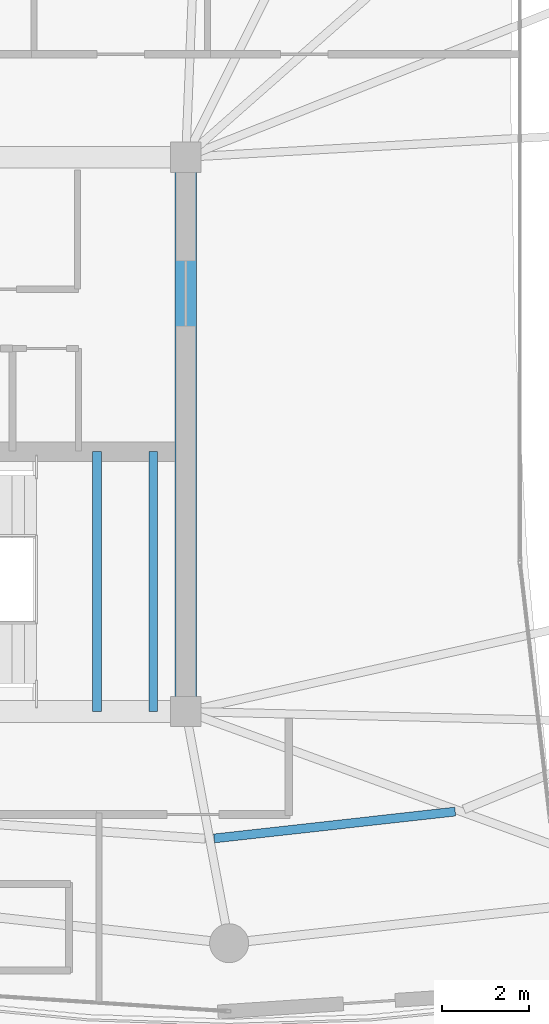
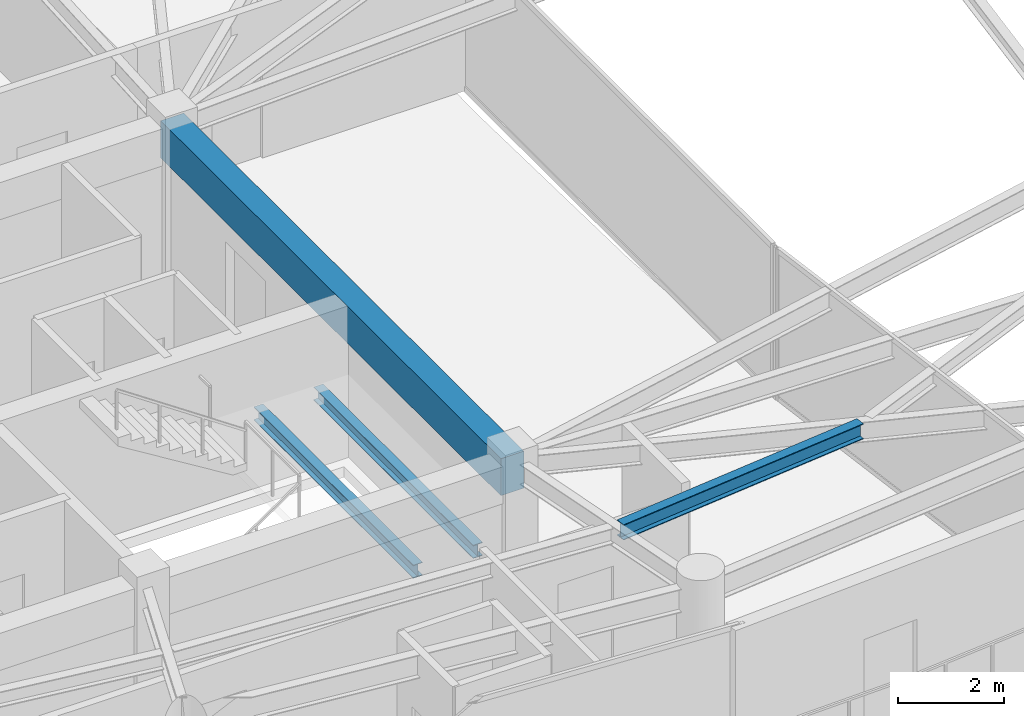
# One storey, part 6 of 22: 4 beams.
"""IFC4 building model written with IfcOpenShell, lengths in metres."""

import ifcopenshell
import ifcopenshell.guid

model = None  # the IFC model being written
_history = None  # IfcOwnerHistory: only IFC2X3 demands one
_inside = {}  # id of a spatial element -> (the spatial element, [elements in it])
_under = {}  # id of a project, library or spatial element -> (it, [spatial elements below it])
_declared = {}  # id of a project -> (the project, [libraries it declares])
_typed = {}  # id of a type object -> (the type object, [elements of that type])
_made_of = {}  # id of a material, layer set ... -> (it, [elements and type objects made of it])


def new_model(schema):
    """Start an empty IFC model of exactly this schema.

    Asked for "IFC4X3", IfcOpenShell would pick the latest addendum, in which some entities
    have other attributes; the version numbers below select the first issue.
    IFC2X3 requires an IfcOwnerHistory on every rooted entity: one is made here for all.
    """
    global model, _history
    if schema == "IFC4X3":
        model = ifcopenshell.file(schema_version=(4, 3, 0, 0))
    else:
        model = ifcopenshell.file(schema=schema)
    _inside.clear()
    _under.clear()
    _declared.clear()
    _typed.clear()
    _made_of.clear()
    _history = None
    if model.schema == "IFC2X3":
        org = make("IfcOrganization", Name="unknown")
        user = make(
            "IfcPersonAndOrganization",
            ThePerson=make("IfcPerson", FamilyName="unknown"),
            TheOrganization=org,
        )
        app = make(
            "IfcApplication",
            ApplicationDeveloper=org,
            Version="unknown",
            ApplicationFullName="unknown",
            ApplicationIdentifier="unknown",
        )
        _history = make(
            "IfcOwnerHistory",
            OwningUser=user,
            OwningApplication=app,
            ChangeAction="ADDED",
            CreationDate=0,
        )
    return model


def make(cls, **values):
    """One entity of the class cls with the attributes given. An attribute that is None is left unset."""
    return model.create_entity(
        cls, **{name: value for name, value in values.items() if value is not None}
    )


def rooted(cls, **values):
    """An entity with a GlobalId (a new one), such as an element, a storey or a relation."""
    return make(cls, GlobalId=ifcopenshell.guid.new(), OwnerHistory=_history, **values)


def si_unit(unit_type, name, prefix=None):
    """IfcSIUnit, for example si_unit("LENGTHUNIT", "METRE", prefix="MILLI")."""
    return make("IfcSIUnit", UnitType=unit_type, Prefix=prefix, Name=name)


def assignment(units):
    """IfcUnitAssignment: the units of a project."""
    return None if units is None else make("IfcUnitAssignment", Units=units)


def point(xyz):
    """IfcCartesianPoint."""
    return None if xyz is None else make("IfcCartesianPoint", Coordinates=xyz)


def direction(xyz):
    """IfcDirection."""
    return None if xyz is None else make("IfcDirection", DirectionRatios=xyz)


def frame(location, z_axis=None, x_axis=None):
    """IfcAxis2Placement3D, a coordinate frame: its origin and axes. An axis left out is left unset."""
    return make(
        "IfcAxis2Placement3D",
        Location=point(location),
        Axis=direction(z_axis),
        RefDirection=direction(x_axis),
    )


def frame_2d(location, x_axis=None):
    """IfcAxis2Placement2D, a coordinate frame in the plane: its origin and x axis."""
    return make(
        "IfcAxis2Placement2D", Location=point(location), RefDirection=direction(x_axis)
    )


def origin():
    """The frame at (0, 0, 0) with its axes left unset."""
    return frame((0.0, 0.0, 0.0))


def origin_2d():
    """The frame at (0, 0) in the plane with its x axis left unset."""
    return frame_2d((0.0, 0.0))


def place(relative_to, where):
    """IfcLocalPlacement: puts the frame where relative to a parent placement (None: the world)."""
    return make(
        "IfcLocalPlacement", PlacementRelTo=relative_to, RelativePlacement=where
    )


def context(
    kind, dimensions, precision=None, world=None, true_north=None, identifier=None
):
    """IfcGeometricRepresentationContext, for example the 3D "Model" context."""
    return make(
        "IfcGeometricRepresentationContext",
        ContextIdentifier=identifier,
        ContextType=kind,
        CoordinateSpaceDimension=dimensions,
        Precision=precision,
        WorldCoordinateSystem=world,
        TrueNorth=true_north,
    )


def subcontext(parent, identifier, kind, view, scale=None):
    """IfcGeometricRepresentationSubContext, for example "Body" below "Model"."""
    return make(
        "IfcGeometricRepresentationSubContext",
        ContextIdentifier=identifier,
        ContextType=kind,
        ParentContext=parent,
        TargetScale=scale,
        TargetView=view,
    )


def project(units=None, contexts=None):
    """IfcProject with its units and contexts."""
    return rooted(
        "IfcProject",
        Name="project",
        RepresentationContexts=contexts,
        UnitsInContext=assignment(units),
    )


def spatial(cls, under=None, at=None, **own):
    """A site, building, storey or space (cls), placed at a placement, below another one or the project."""
    s = rooted(cls, ObjectPlacement=at, **own)
    if under is not None:
        _under.setdefault(under.id(), (under, []))[1].append(s)
    return s


def profile(cls, at=None, kind="AREA", **sizes):
    """A parametric profile (cls). Its sizes go by their IFC names, for example OverallWidth=200.0."""
    return make(cls, ProfileType=kind, Position=at, **sizes)


def rectangle(**sizes):
    """IfcRectangleProfileDef."""
    return profile("IfcRectangleProfileDef", **sizes)


def i_section(**sizes):
    """IfcIShapeProfileDef."""
    return profile("IfcIShapeProfileDef", **sizes)


def extrude(swept, where, along, depth):
    """IfcExtrudedAreaSolid: the profile swept, set in the frame where, extruded along a direction by depth."""
    return make(
        "IfcExtrudedAreaSolid",
        SweptArea=swept,
        Position=where,
        ExtrudedDirection=direction(along),
        Depth=depth,
    )


def shape(context_of_items, identifier, shape_type, items):
    """IfcShapeRepresentation: the items that make up one representation, for example the "Body"."""
    return make(
        "IfcShapeRepresentation",
        ContextOfItems=context_of_items,
        RepresentationIdentifier=identifier,
        RepresentationType=shape_type,
        Items=items,
    )


def material(Name=None, Category=None):
    """IfcMaterial."""
    return make("IfcMaterial", Name=Name, Category=Category)


def material_profile(
    of_material, cross_section, Name=None, Category=None, Priority=None
):
    """IfcMaterialProfile: a cross section and its material."""
    return make(
        "IfcMaterialProfile",
        Name=Name,
        Material=of_material,
        Profile=cross_section,
        Priority=Priority,
        Category=Category,
    )


def profile_set(profiles, Name=None, composite=None):
    """IfcMaterialProfileSet."""
    return make(
        "IfcMaterialProfileSet",
        Name=Name,
        MaterialProfiles=profiles,
        CompositeProfile=composite,
    )


def made_of(thing, what):
    """Note that an element or type object is made of a material, layer set ...; save() writes the relation."""
    if what is not None:
        _made_of.setdefault(what.id(), (what, []))[1].append(thing)
    return thing


def type_object(cls, material=None, **own):
    """A type object (cls), such as IfcWallType, which elements share."""
    return made_of(rooted(cls, **own), material)


def element(
    cls,
    number,
    at=None,
    inside=None,
    cuts=None,
    type_object=None,
    material=None,
    context=None,
    identifier="Body",
    shape_type=None,
    held_by="IfcProductDefinitionShape",
    body=None,
    shapes=None,
    **own,
):
    """One element of the class cls, such as IfcWall. Its Tag is "e" and its number.

    at: its placement. inside: the storey or other place that contains it. cuts: it is an
    opening in that element (IfcRelVoidsElement). A single representation is given by context,
    identifier, shape_type and body (its items); several are given by shapes. held_by: the class
    of the entity that holds the representations. save() writes the other relations.
    """
    e = rooted(cls, Tag="e%d" % number, ObjectPlacement=at, **own)
    if body is not None:
        shapes = [shape(context, identifier, shape_type, body)]
    if shapes is not None:
        e.Representation = make(held_by, Representations=shapes)
    if inside is not None:
        _inside.setdefault(inside.id(), (inside, []))[1].append(e)
    if cuts is not None:
        rooted(
            "IfcRelVoidsElement", RelatingBuildingElement=cuts, RelatedOpeningElement=e
        )
    if type_object is not None:
        _typed.setdefault(type_object.id(), (type_object, []))[1].append(e)
    return made_of(e, material)


def aggregate(whole, parts):
    """IfcRelAggregates: a whole, such as a stair, and the parts it consists of."""
    return rooted("IfcRelAggregates", RelatingObject=whole, RelatedObjects=parts)


def save(model, path):
    """Write the relations noted so far, then the file.

    IfcRelAggregates (storeys below a building ...), IfcRelContainedInSpatialStructure (elements
    in a storey), IfcRelDefinesByType, IfcRelAssociatesMaterial and IfcRelDeclares: one each for
    every whole, place, type object, material and project.
    """
    for whole, parts in _under.values():
        aggregate(whole, parts)
    for where, things in _inside.values():
        rooted(
            "IfcRelContainedInSpatialStructure",
            RelatedElements=things,
            RelatingStructure=where,
        )
    for kind, things in _typed.values():
        rooted("IfcRelDefinesByType", RelatedObjects=things, RelatingType=kind)
    for what, things in _made_of.values():
        rooted("IfcRelAssociatesMaterial", RelatedObjects=things, RelatingMaterial=what)
    for by, libraries in _declared.values():
        rooted("IfcRelDeclares", RelatingContext=by, RelatedDefinitions=libraries)
    model.write(path)


model = new_model("IFC4")

# Units and contexts
model_context = context("Model", 3, precision=1e-05, world=origin(), true_north=direction((0.0, 1.0)))
body_context = subcontext(model_context, "Body", "Model", "MODEL_VIEW")
ifc_project = project(units=[si_unit("LENGTHUNIT", "METRE"), si_unit("AREAUNIT", "SQUARE_METRE"), si_unit("VOLUMEUNIT", "CUBIC_METRE"), si_unit("PLANEANGLEUNIT", "RADIAN"), si_unit("MASSUNIT", "GRAM", prefix="KILO")], contexts=[model_context])

# Site, building, storey
site_placement = place(None, origin())
site = spatial("IfcSite", under=ifc_project, at=site_placement, CompositionType="ELEMENT")
building_placement = place(site_placement, origin())
building = spatial("IfcBuilding", under=site, at=building_placement, Name="Kazevale Care Tower and Concert Hall", CompositionType="ELEMENT")
storey_placement = place(building_placement, frame((0.0, 0.0, 277.60009765625)))
storey = spatial("IfcBuildingStorey", under=building, at=storey_placement, Name="L73", CompositionType="ELEMENT", Elevation=277.60009765625)

# Beams
ifc_material_1 = material(Name="Concrete C60", Category="concrete")
ifc_material_profile_1 = material_profile(ifc_material_1, rectangle(XDim=0.5, YDim=0.85009765625, at=origin_2d()), Name="RC-B500x850")
ifc_profile_set_1 = profile_set([ifc_material_profile_1], Name="Concrete C60")
beam_type_1 = type_object("IfcBeamType", Name="Core Coupling Beam RC500x850", PredefinedType="LINTEL", material=ifc_profile_set_1)
beam_1_placement = place(storey_placement, frame((44.0, 23.60009765625, 3.054931640625), z_axis=(0.0, 1.0, 0.0), x_axis=(-1.0, 0.0, 0.0)))
element("IfcBeam", 1, at=beam_1_placement, inside=storey, type_object=beam_type_1, Name="beam:L73:coretie:4", PredefinedType="LINTEL", context=body_context, shape_type="SweptSolid", body=[
    extrude(rectangle(XDim=0.5, YDim=0.85009765625, at=origin_2d()), origin(), (0.0, 0.0, 1.0), 12.7998046875),
])
ifc_material_2 = material(Name="Steel ASTM A572 Gr 50", Category="steel")
ifc_material_profile_2 = material_profile(ifc_material_2, i_section(OverallWidth=0.205078125, OverallDepth=0.35400390625, WebThickness=0.009521484375, FlangeThickness=0.016845703125, at=origin_2d()), Name="W360x79")
ifc_profile_set_2 = profile_set([ifc_material_profile_2], Name="Steel ASTM A572 Gr 50")
beam_type_2 = type_object("IfcBeamType", Name="Secondary Floor Joist W360x79", PredefinedType="JOIST", material=ifc_profile_set_2)
beam_2_placement = place(storey_placement, frame((44.654052734375, 20.6689453125, 3.302978515625), z_axis=(0.99385286667, 0.110708985236, 0.0), x_axis=(-0.110708985236, 0.99385286667, 0.0)))
element("IfcBeam", 2, at=beam_2_placement, inside=storey, type_object=beam_type_2, Name="beam:L73:joist:13", PredefinedType="JOIST", context=body_context, shape_type="SweptSolid", body=[
    extrude(i_section(OverallWidth=0.205078125, OverallDepth=0.35400390625, WebThickness=0.009521484375, FlangeThickness=0.016845703125, at=origin_2d()), origin(), (0.0, 0.0, 1.0), 5.601318359375),
])
ifc_material_profile_3 = material_profile(ifc_material_2, i_section(OverallWidth=0.202880859375, OverallDepth=0.302978515625, WebThickness=0.007568359375, FlangeThickness=0.01318359375, at=origin_2d()), Name="W310x60")
ifc_profile_set_3 = profile_set([ifc_material_profile_3], Name="Steel ASTM A572 Gr 50")
beam_type_3 = type_object("IfcBeamType", Name="Stair & Balcony Trimmer W310x60", PredefinedType="BEAM", material=ifc_profile_set_3)
for number, where, z_axis, x_axis, name in (
    (3, (41.949951171875, 23.60009765625, 1.54833984375), (0.0, 1.0, 0.0), (-1.0, 0.0, 0.0), "beam:L73:sttrim:ST2"),
    (4, (43.25, 23.60009765625, 1.54833984375), (0.0, 1.0, 0.0), (-1.0, 0.0, 0.0), "beam:L73:sttrim:ST2b"),
):
    element("IfcBeam", number, at=place(storey_placement, frame(where, z_axis=z_axis, x_axis=x_axis)), inside=storey, type_object=beam_type_3, Name=name, PredefinedType="BEAM", context=body_context, shape_type="SweptSolid", body=[
        extrude(i_section(OverallWidth=0.202880859375, OverallDepth=0.302978515625, WebThickness=0.007568359375, FlangeThickness=0.01318359375, at=origin_2d()), origin(), (0.0, 0.0, 1.0), 6.0),
    ])

save(model, "model.ifc")
